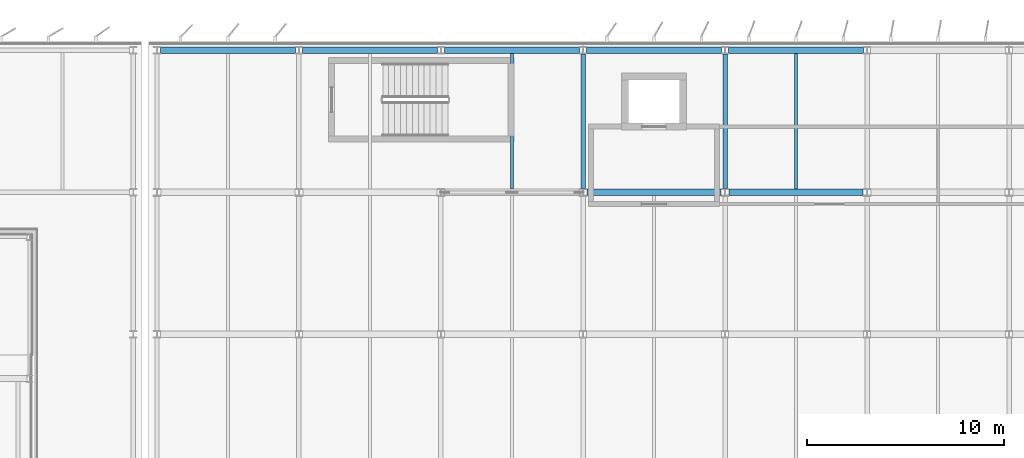
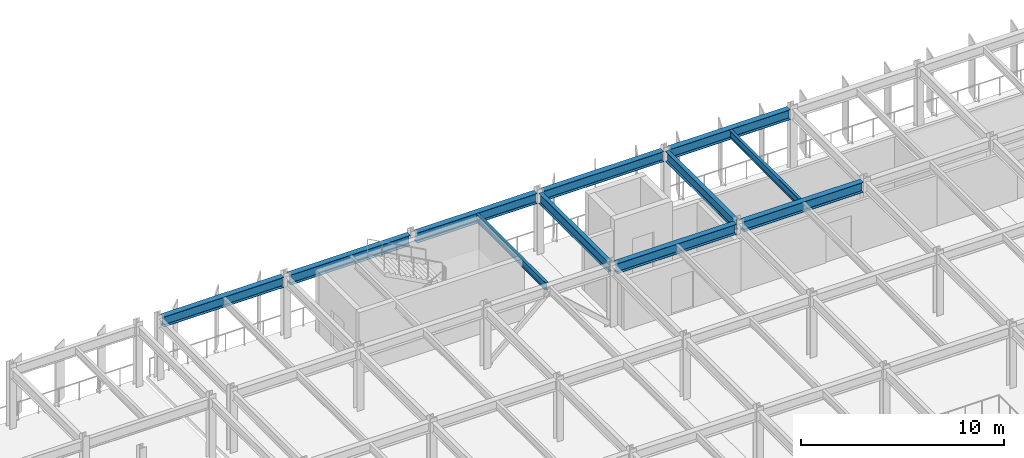
# One storey, part 19 of 80: 11 beams.
"""IFC4 building model written with IfcOpenShell, lengths in metres."""

from ifc_helpers import new_model, si_unit, direction, frame, origin, origin_2d, place, context, subcontext, project, spatial, i_section, extrude, material, material_profile, profile_set, type_object, element, save


model = new_model("IFC4")

# Units and contexts
model_context = context("Model", 3, precision=1e-05, world=origin(), true_north=direction((0.0, 1.0)))
body_context = subcontext(model_context, "Body", "Model", "MODEL_VIEW")
ifc_project = project(units=[si_unit("LENGTHUNIT", "METRE"), si_unit("AREAUNIT", "SQUARE_METRE"), si_unit("VOLUMEUNIT", "CUBIC_METRE"), si_unit("PLANEANGLEUNIT", "RADIAN"), si_unit("MASSUNIT", "GRAM", prefix="KILO")], contexts=[model_context])

# Site, building, storey
site_placement = place(None, origin())
site = spatial("IfcSite", under=ifc_project, at=site_placement, CompositionType="ELEMENT")
building_placement = place(site_placement, origin())
building = spatial("IfcBuilding", under=site, at=building_placement, Name="Vaelcorin Mobility Hub", CompositionType="ELEMENT")
storey_placement = place(building_placement, frame((0.0, 0.0, 9.300048828125)))
storey = spatial("IfcBuildingStorey", under=building, at=storey_placement, Name="L02", CompositionType="ELEMENT", Elevation=9.300048828125)

# Beams
ifc_material = material(Name="Steel ASTM A992 Grade 50", Category="steel")
ifc_material_profile_1 = material_profile(ifc_material, i_section(OverallWidth=0.154052734375, OverallDepth=0.45703125, WebThickness=0.009033203125, FlangeThickness=0.015380859375, FilletRadius=0.012939453125, at=origin_2d()), Name="W18X46")
ifc_profile_set_1 = profile_set([ifc_material_profile_1], Name="Steel ASTM A992 Grade 50")
beam_type_1 = type_object("IfcBeamType", Name="BM-W18X46", PredefinedType="JOIST", material=ifc_profile_set_1)
for number, where, z_axis, x_axis, name in (
    (1, (54.0, 112.9599609375, 3.4619140625), (0.0, 1.0, 0.0), (-1.0, 0.0, 0.0), "L02 Beam V4-L02-J-03-06-1"),
    (2, (68.39990234375, 112.9599609375, 3.4619140625), (0.0, 1.0, 0.0), (-1.0, 0.0, 0.0), "L02 Beam V4-L02-J-05-06-1"),
):
    element("IfcBeam", number, at=place(storey_placement, frame(where, z_axis=z_axis, x_axis=x_axis)), inside=storey, type_object=beam_type_1, Name=name, PredefinedType="JOIST", context=body_context, shape_type="SweptSolid", body=[
        extrude(i_section(OverallWidth=0.154052734375, OverallDepth=0.45703125, WebThickness=0.009033203125, FlangeThickness=0.015380859375, FilletRadius=0.012939453125, at=origin_2d()), origin(), (0.0, 0.0, 1.0), 6.880126953125),
    ])
ifc_material_profile_2 = material_profile(ifc_material, i_section(OverallWidth=0.324951171875, OverallDepth=0.612060546875, WebThickness=0.0126953125, FlangeThickness=0.01904296875, FilletRadius=0.014892578125, at=origin_2d()), Name="W24X104")
ifc_profile_set_2 = profile_set([ifc_material_profile_2], Name="Steel ASTM A992 Grade 50")
beam_type_2 = type_object("IfcBeamType", Name="BM-W24X104", PredefinedType="BEAM", material=ifc_profile_set_2)
beam_1_placement = place(storey_placement, frame((57.7958984375, 112.800048828125, 3.384033203125), z_axis=(1.0, 0.0, 0.0), x_axis=(0.0, 1.0, 0.0)))
element("IfcBeam", 3, at=beam_1_placement, inside=storey, type_object=beam_type_2, Name="L02 Beam V4-L02-GX-06-04", PredefinedType="BEAM", context=body_context, shape_type="SweptSolid", body=[
    extrude(i_section(OverallWidth=0.324951171875, OverallDepth=0.612060546875, WebThickness=0.0126953125, FlangeThickness=0.01904296875, FilletRadius=0.014892578125, at=origin_2d()), origin(), (0.0, 0.0, 1.0), 6.80810546875),
])
beam_2_placement = place(storey_placement, frame((64.99609375, 112.800048828125, 3.384033203125), z_axis=(1.0, 0.0, 0.0), x_axis=(0.0, 1.0, 0.0)))
element("IfcBeam", 4, at=beam_2_placement, inside=storey, type_object=beam_type_2, Name="L02 Beam V4-L02-GX-06-05", PredefinedType="BEAM", context=body_context, shape_type="SweptSolid", body=[
    extrude(i_section(OverallWidth=0.324951171875, OverallDepth=0.612060546875, WebThickness=0.0126953125, FlangeThickness=0.01904296875, FilletRadius=0.014892578125, at=origin_2d()), origin(), (0.0, 0.0, 1.0), 6.807861328125),
])
for number, where, z_axis, x_axis, name in (
    (5, (36.18408203125, 120.0, 3.384033203125), (1.0, 0.0, 0.0), (0.0, 1.0, 0.0), "L02 Beam V4-L02-GX-07-01"),
    (6, (43.384033203125, 120.0, 3.384033203125), (1.0, 0.0, 0.0), (0.0, 1.0, 0.0), "L02 Beam V4-L02-GX-07-02"),
    (7, (50.583984375, 120.0, 3.384033203125), (1.0, 0.0, 0.0), (0.0, 1.0, 0.0), "L02 Beam V4-L02-GX-07-03"),
    (8, (57.783935546875, 120.0, 3.384033203125), (1.0, 0.0, 0.0), (0.0, 1.0, 0.0), "L02 Beam V4-L02-GX-07-04"),
    (9, (64.98388671875, 120.0, 3.384033203125), (1.0, 0.0, 0.0), (0.0, 1.0, 0.0), "L02 Beam V4-L02-GX-07-05"),
):
    element("IfcBeam", number, at=place(storey_placement, frame(where, z_axis=z_axis, x_axis=x_axis)), inside=storey, type_object=beam_type_2, Name=name, PredefinedType="BEAM", context=body_context, shape_type="SweptSolid", body=[
        extrude(i_section(OverallWidth=0.324951171875, OverallDepth=0.612060546875, WebThickness=0.0126953125, FlangeThickness=0.01904296875, FilletRadius=0.014892578125, at=origin_2d()), origin(), (0.0, 0.0, 1.0), 6.83203125),
    ])
ifc_material_profile_3 = material_profile(ifc_material, i_section(OverallWidth=0.22900390625, OverallDepth=0.612060546875, WebThickness=0.011962890625, FlangeThickness=0.01953125, FilletRadius=0.014892578125, at=origin_2d()), Name="W24X84")
ifc_profile_set_3 = profile_set([ifc_material_profile_3], Name="Steel ASTM A992 Grade 50")
beam_type_3 = type_object("IfcBeamType", Name="BM-W24X84", PredefinedType="BEAM", material=ifc_profile_set_3)
for number, where, z_axis, x_axis, name in (
    (10, (57.60009765625, 112.988037109375, 3.384033203125), (0.0, 1.0, 0.0), (-1.0, 0.0, 0.0), "L02 Beam V4-L02-GY-04-06"),
    (11, (64.800048828125, 112.988037109375, 3.384033203125), (0.0, 1.0, 0.0), (-1.0, 0.0, 0.0), "L02 Beam V4-L02-GY-05-06"),
):
    element("IfcBeam", number, at=place(storey_placement, frame(where, z_axis=z_axis, x_axis=x_axis)), inside=storey, type_object=beam_type_3, Name=name, PredefinedType="BEAM", context=body_context, shape_type="SweptSolid", body=[
        extrude(i_section(OverallWidth=0.22900390625, OverallDepth=0.612060546875, WebThickness=0.011962890625, FlangeThickness=0.01953125, FilletRadius=0.014892578125, at=origin_2d()), origin(), (0.0, 0.0, 1.0), 6.827880859375),
    ])

save(model, "model.ifc")
